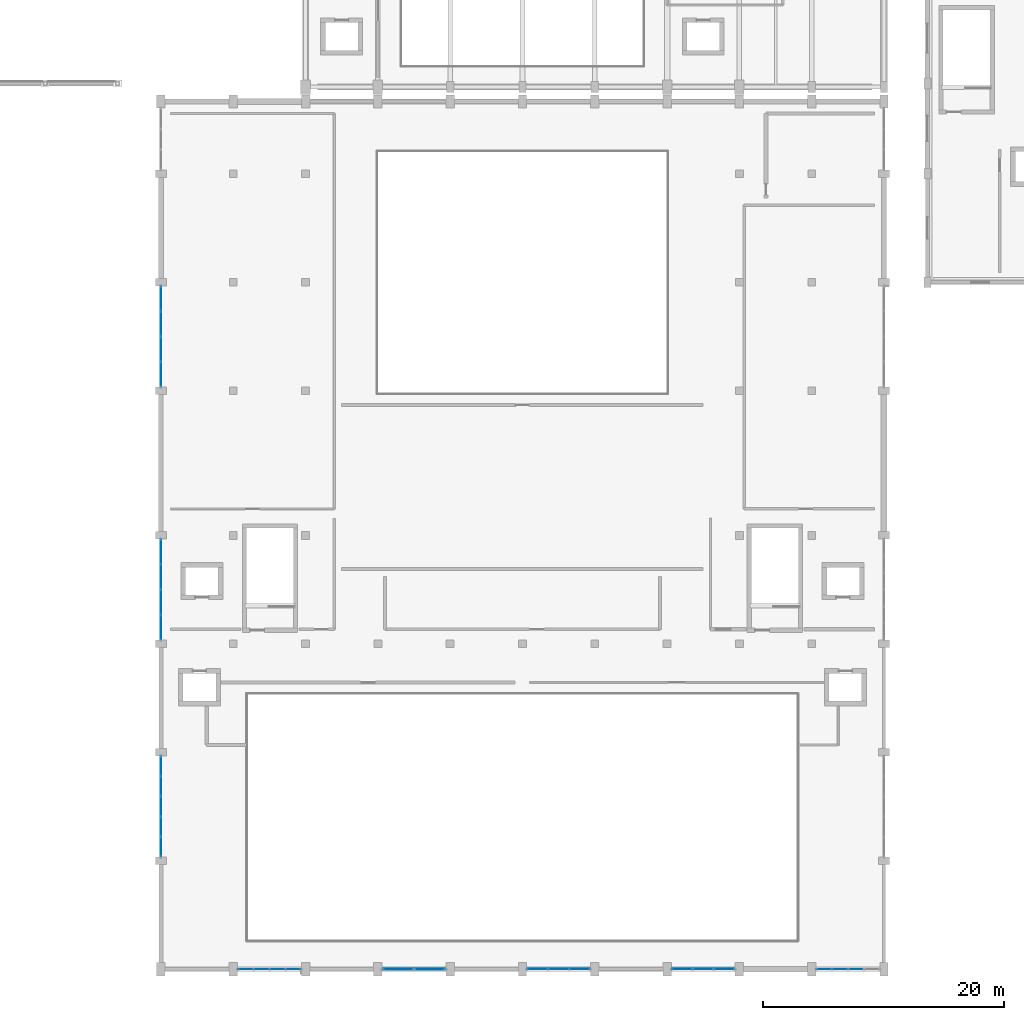
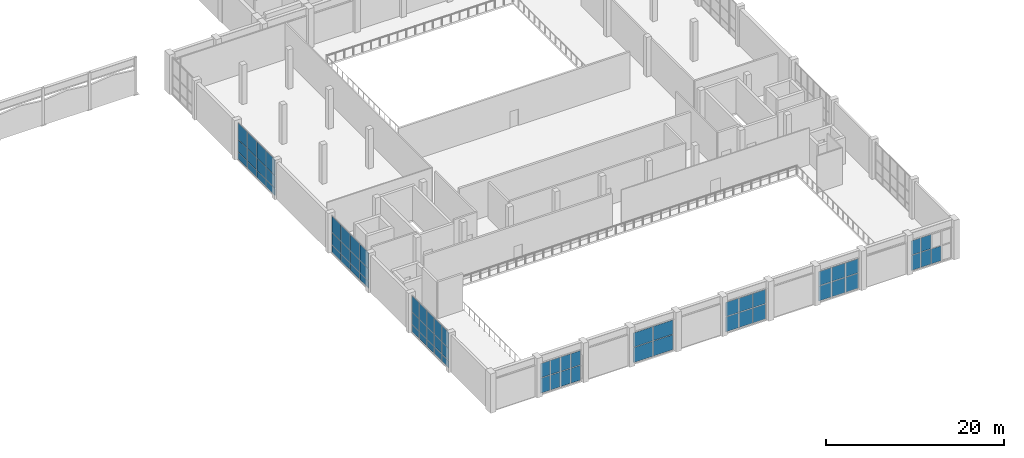
# One storey, part 23 of 41: 68 plates, 8 elements without a shape of their own.
"""IFC4 building model written with IfcOpenShell, lengths in metres."""

from ifc_helpers import new_model, si_unit, direction, frame, origin, origin_2d, place, context, subcontext, project, spatial, rectangle, extrude, material, layer, layer_set, type_object, element, aggregate, save


model = new_model("IFC4")

# Units and contexts
model_context = context("Model", 3, precision=1e-05, world=origin(), true_north=direction((0.0, 1.0)))
body_context = subcontext(model_context, "Body", "Model", "MODEL_VIEW")
ifc_project = project(units=[si_unit("LENGTHUNIT", "METRE"), si_unit("AREAUNIT", "SQUARE_METRE"), si_unit("VOLUMEUNIT", "CUBIC_METRE"), si_unit("PLANEANGLEUNIT", "RADIAN"), si_unit("MASSUNIT", "GRAM", prefix="KILO")], contexts=[model_context])

# Site, building, storey
site_placement = place(None, origin())
site = spatial("IfcSite", under=ifc_project, at=site_placement, CompositionType="ELEMENT")
building_placement = place(site_placement, origin())
building = spatial("IfcBuilding", under=site, at=building_placement, Name="Vaelkrest Opera House", CompositionType="ELEMENT")
storey_placement = place(building_placement, frame((0.0, 0.0, 24.60009765625)))
storey = spatial("IfcBuildingStorey", under=building, at=storey_placement, Name="L05", CompositionType="ELEMENT", Elevation=24.60009765625)

# Curtain wall, plates
ifc_material_1 = material(Name="Dark bronze anodized aluminium", Category="aluminium")
ifc_layer_1 = layer(ifc_material_1, 0.18994140625)
ifc_layer_set_1 = layer_set([ifc_layer_1], Name="Dark bronze anodized aluminium")
curtain_wall_type_1 = type_object("IfcCurtainWallType", Name="CW02", PredefinedType="NOTDEFINED", material=ifc_layer_set_1)
curtain_wall_1_placement = place(storey_placement, origin())
curtain_wall_1 = element("IfcCurtainWall", 1, at=curtain_wall_1_placement, inside=storey, type_object=curtain_wall_type_1, Name="Curtain wall CW-L05-068", PredefinedType="NOTDEFINED")
ifc_material_2 = material(Name="Double low-E insulated glazing", Category="glass")
ifc_layer_2 = layer(ifc_material_2, 0.030029296875)
ifc_layer_set_2 = layer_set([ifc_layer_2], Name="Double low-E insulated glazing")
plate_type_1 = type_object("IfcPlateType", Name="CWP02", PredefinedType="CURTAIN_PANEL", material=ifc_layer_set_2)
plate_1_placement = place(storey_placement, frame((27.6630859375, -55.800048828125, 0.06982421875), z_axis=(0.0, 0.0, 1.0), x_axis=(-1.0, 0.0, 0.0)))
plate_1 = element("IfcPlate", 2, at=plate_1_placement, type_object=plate_type_1, Name="CW02 panel 2.1", PredefinedType="CURTAIN_PANEL", context=body_context, shape_type="SweptSolid", body=[
    extrude(rectangle(XDim=1.256103515625, YDim=0.030029296875, at=origin_2d()), origin(), (0.0, 0.0, 1.0), 2.044921875),
])
plate_2_placement = place(storey_placement, frame((26.3369140625, -55.800048828125, 0.06982421875), z_axis=(0.0, 0.0, 1.0), x_axis=(-1.0, 0.0, 0.0)))
plate_2 = element("IfcPlate", 3, at=plate_2_placement, type_object=plate_type_1, Name="CW02 panel 3.1", PredefinedType="CURTAIN_PANEL", context=body_context, shape_type="SweptSolid", body=[
    extrude(rectangle(XDim=1.256103515625, YDim=0.030029296875, at=origin_2d()), origin(), (0.0, 0.0, 1.0), 2.044921875),
])
plate_3_placement = place(storey_placement, frame((26.3369140625, -55.800048828125, 2.18505859375), z_axis=(0.0, 0.0, 1.0), x_axis=(-1.0, 0.0, 0.0)))
plate_3 = element("IfcPlate", 4, at=plate_3_placement, type_object=plate_type_1, Name="CW02 panel 3.2", PredefinedType="CURTAIN_PANEL", context=body_context, shape_type="SweptSolid", body=[
    extrude(rectangle(XDim=1.256103515625, YDim=0.030029296875, at=origin_2d()), origin(), (0.0, 0.0, 1.0), 1.94189453125),
])
plate_4_placement = place(storey_placement, frame((25.028564453125, -55.800048828125, 0.06982421875), z_axis=(0.0, 0.0, 1.0), x_axis=(-1.0, 0.0, 0.0)))
plate_4 = element("IfcPlate", 5, at=plate_4_placement, type_object=plate_type_1, Name="CW02 panel 4.1", PredefinedType="CURTAIN_PANEL", context=body_context, shape_type="SweptSolid", body=[
    extrude(rectangle(XDim=1.220947265625, YDim=0.030029296875, at=origin_2d()), origin(), (0.0, 0.0, 1.0), 2.044921875),
])
plate_5_placement = place(storey_placement, frame((25.028564453125, -55.800048828125, 2.18505859375), z_axis=(0.0, 0.0, 1.0), x_axis=(-1.0, 0.0, 0.0)))
plate_5 = element("IfcPlate", 6, at=plate_5_placement, type_object=plate_type_1, Name="CW02 panel 4.2", PredefinedType="CURTAIN_PANEL", context=body_context, shape_type="SweptSolid", body=[
    extrude(rectangle(XDim=1.220947265625, YDim=0.030029296875, at=origin_2d()), origin(), (0.0, 0.0, 1.0), 1.94189453125),
])
aggregate(curtain_wall_1, [plate_1, plate_2, plate_3, plate_4, plate_5])

curtain_wall_2_placement = place(storey_placement, origin())
curtain_wall_2 = element("IfcCurtainWall", 7, at=curtain_wall_2_placement, inside=storey, type_object=curtain_wall_type_1, Name="Curtain wall CW-L05-072", PredefinedType="NOTDEFINED")
plate_6_placement = place(storey_placement, frame((-19.028564453125, -55.800048828125, 0.06982421875), z_axis=(0.0, 0.0, 1.0), x_axis=(-1.0, 0.0, 0.0)))
plate_6 = element("IfcPlate", 8, at=plate_6_placement, type_object=plate_type_1, Name="CW02 panel 1.1", PredefinedType="CURTAIN_PANEL", context=body_context, shape_type="SweptSolid", body=[
    extrude(rectangle(XDim=1.220947265625, YDim=0.030029296875, at=origin_2d()), origin(), (0.0, 0.0, 1.0), 2.044921875),
])
plate_7_placement = place(storey_placement, frame((-19.028564453125, -55.800048828125, 2.18505859375), z_axis=(0.0, 0.0, 1.0), x_axis=(-1.0, 0.0, 0.0)))
plate_7 = element("IfcPlate", 9, at=plate_7_placement, type_object=plate_type_1, Name="CW02 panel 1.2", PredefinedType="CURTAIN_PANEL", context=body_context, shape_type="SweptSolid", body=[
    extrude(rectangle(XDim=1.220947265625, YDim=0.030029296875, at=origin_2d()), origin(), (0.0, 0.0, 1.0), 1.94189453125),
])
plate_8_placement = place(storey_placement, frame((-20.3369140625, -55.800048828125, 0.06982421875), z_axis=(0.0, 0.0, 1.0), x_axis=(-1.0, 0.0, 0.0)))
plate_8 = element("IfcPlate", 10, at=plate_8_placement, type_object=plate_type_1, Name="CW02 panel 2.1", PredefinedType="CURTAIN_PANEL", context=body_context, shape_type="SweptSolid", body=[
    extrude(rectangle(XDim=1.256103515625, YDim=0.030029296875, at=origin_2d()), origin(), (0.0, 0.0, 1.0), 2.044921875),
])
plate_9_placement = place(storey_placement, frame((-20.3369140625, -55.800048828125, 2.18505859375), z_axis=(0.0, 0.0, 1.0), x_axis=(-1.0, 0.0, 0.0)))
plate_9 = element("IfcPlate", 11, at=plate_9_placement, type_object=plate_type_1, Name="CW02 panel 2.2", PredefinedType="CURTAIN_PANEL", context=body_context, shape_type="SweptSolid", body=[
    extrude(rectangle(XDim=1.256103515625, YDim=0.030029296875, at=origin_2d()), origin(), (0.0, 0.0, 1.0), 1.94189453125),
])
plate_10_placement = place(storey_placement, frame((-21.6630859375, -55.800048828125, 0.06982421875), z_axis=(0.0, 0.0, 1.0), x_axis=(-1.0, 0.0, 0.0)))
plate_10 = element("IfcPlate", 12, at=plate_10_placement, type_object=plate_type_1, Name="CW02 panel 3.1", PredefinedType="CURTAIN_PANEL", context=body_context, shape_type="SweptSolid", body=[
    extrude(rectangle(XDim=1.256103515625, YDim=0.030029296875, at=origin_2d()), origin(), (0.0, 0.0, 1.0), 2.044921875),
])
plate_11_placement = place(storey_placement, frame((-21.6630859375, -55.800048828125, 2.18505859375), z_axis=(0.0, 0.0, 1.0), x_axis=(-1.0, 0.0, 0.0)))
plate_11 = element("IfcPlate", 13, at=plate_11_placement, type_object=plate_type_1, Name="CW02 panel 3.2", PredefinedType="CURTAIN_PANEL", context=body_context, shape_type="SweptSolid", body=[
    extrude(rectangle(XDim=1.256103515625, YDim=0.030029296875, at=origin_2d()), origin(), (0.0, 0.0, 1.0), 1.94189453125),
])
plate_12_placement = place(storey_placement, frame((-22.971435546875, -55.800048828125, 0.06982421875), z_axis=(0.0, 0.0, 1.0), x_axis=(-1.0, 0.0, 0.0)))
plate_12 = element("IfcPlate", 14, at=plate_12_placement, type_object=plate_type_1, Name="CW02 panel 4.1", PredefinedType="CURTAIN_PANEL", context=body_context, shape_type="SweptSolid", body=[
    extrude(rectangle(XDim=1.220947265625, YDim=0.030029296875, at=origin_2d()), origin(), (0.0, 0.0, 1.0), 2.044921875),
])
plate_13_placement = place(storey_placement, frame((-22.971435546875, -55.800048828125, 2.18505859375), z_axis=(0.0, 0.0, 1.0), x_axis=(-1.0, 0.0, 0.0)))
plate_13 = element("IfcPlate", 15, at=plate_13_placement, type_object=plate_type_1, Name="CW02 panel 4.2", PredefinedType="CURTAIN_PANEL", context=body_context, shape_type="SweptSolid", body=[
    extrude(rectangle(XDim=1.220947265625, YDim=0.030029296875, at=origin_2d()), origin(), (0.0, 0.0, 1.0), 1.94189453125),
])
aggregate(curtain_wall_2, [plate_6, plate_7, plate_8, plate_9, plate_10, plate_11, plate_12, plate_13])

ifc_layer_3 = layer(ifc_material_1, 0.2099609375)
ifc_layer_set_3 = layer_set([ifc_layer_3], Name="Dark bronze anodized aluminium")
curtain_wall_type_2 = type_object("IfcCurtainWallType", Name="CW04", PredefinedType="NOTDEFINED", material=ifc_layer_set_3)
curtain_wall_3_placement = place(storey_placement, origin())
curtain_wall_3 = element("IfcCurtainWall", 16, at=curtain_wall_3_placement, inside=storey, type_object=curtain_wall_type_2, Name="Curtain wall CW-L05-069", PredefinedType="NOTDEFINED")
ifc_layer_4 = layer(ifc_material_2, 0.0380859375)
ifc_layer_set_4 = layer_set([ifc_layer_4], Name="Double low-E insulated glazing")
plate_type_2 = type_object("IfcPlateType", Name="CWP04", PredefinedType="CURTAIN_PANEL", material=ifc_layer_set_4)
plate_14_placement = place(storey_placement, frame((16.748046875, -55.800048828125, 0.080078125), z_axis=(0.0, 0.0, 1.0), x_axis=(-1.0, 0.0, 0.0)))
plate_14 = element("IfcPlate", 17, at=plate_14_placement, type_object=plate_type_2, Name="CW04 panel 1.1", PredefinedType="CURTAIN_PANEL", context=body_context, shape_type="SweptSolid", body=[
    extrude(rectangle(XDim=1.64794921875, YDim=0.0380859375, at=origin_2d()), origin(), (0.0, 0.0, 1.0), 2.030029296875),
])
plate_15_placement = place(storey_placement, frame((16.748046875, -55.800048828125, 2.18994140625), z_axis=(0.0, 0.0, 1.0), x_axis=(-1.0, 0.0, 0.0)))
plate_15 = element("IfcPlate", 18, at=plate_15_placement, type_object=plate_type_2, Name="CW04 panel 1.2", PredefinedType="CURTAIN_PANEL", context=body_context, shape_type="SweptSolid", body=[
    extrude(rectangle(XDim=1.64794921875, YDim=0.0380859375, at=origin_2d()), origin(), (0.0, 0.0, 1.0), 1.927001953125),
])
plate_16_placement = place(storey_placement, frame((15.0, -55.800048828125, 0.080078125), z_axis=(0.0, 0.0, 1.0), x_axis=(-1.0, 0.0, 0.0)))
plate_16 = element("IfcPlate", 19, at=plate_16_placement, type_object=plate_type_2, Name="CW04 panel 2.1", PredefinedType="CURTAIN_PANEL", context=body_context, shape_type="SweptSolid", body=[
    extrude(rectangle(XDim=1.68798828125, YDim=0.0380859375, at=origin_2d()), origin(), (0.0, 0.0, 1.0), 2.030029296875),
])
plate_17_placement = place(storey_placement, frame((15.0, -55.800048828125, 2.18994140625), z_axis=(0.0, 0.0, 1.0), x_axis=(-1.0, 0.0, 0.0)))
plate_17 = element("IfcPlate", 20, at=plate_17_placement, type_object=plate_type_2, Name="CW04 panel 2.2", PredefinedType="CURTAIN_PANEL", context=body_context, shape_type="SweptSolid", body=[
    extrude(rectangle(XDim=1.68798828125, YDim=0.0380859375, at=origin_2d()), origin(), (0.0, 0.0, 1.0), 1.927001953125),
])
plate_18_placement = place(storey_placement, frame((13.251953125, -55.800048828125, 0.080078125), z_axis=(0.0, 0.0, 1.0), x_axis=(-1.0, 0.0, 0.0)))
plate_18 = element("IfcPlate", 21, at=plate_18_placement, type_object=plate_type_2, Name="CW04 panel 3.1", PredefinedType="CURTAIN_PANEL", context=body_context, shape_type="SweptSolid", body=[
    extrude(rectangle(XDim=1.64794921875, YDim=0.0380859375, at=origin_2d()), origin(), (0.0, 0.0, 1.0), 2.030029296875),
])
plate_19_placement = place(storey_placement, frame((13.251953125, -55.800048828125, 2.18994140625), z_axis=(0.0, 0.0, 1.0), x_axis=(-1.0, 0.0, 0.0)))
plate_19 = element("IfcPlate", 22, at=plate_19_placement, type_object=plate_type_2, Name="CW04 panel 3.2", PredefinedType="CURTAIN_PANEL", context=body_context, shape_type="SweptSolid", body=[
    extrude(rectangle(XDim=1.64794921875, YDim=0.0380859375, at=origin_2d()), origin(), (0.0, 0.0, 1.0), 1.927001953125),
])
aggregate(curtain_wall_3, [plate_14, plate_15, plate_16, plate_17, plate_18, plate_19])

curtain_wall_4_placement = place(storey_placement, origin())
curtain_wall_4 = element("IfcCurtainWall", 23, at=curtain_wall_4_placement, inside=storey, type_object=curtain_wall_type_2, Name="Curtain wall CW-L05-073", PredefinedType="NOTDEFINED")
plate_20_placement = place(storey_placement, frame((-30.0, -45.6416015625, 0.080078125), z_axis=(0.0, 0.0, 1.0), x_axis=(0.0, 1.0, 0.0)))
plate_20 = element("IfcPlate", 24, at=plate_20_placement, type_object=plate_type_2, Name="CW04 panel 1.1", PredefinedType="CURTAIN_PANEL", context=body_context, shape_type="SweptSolid", body=[
    extrude(rectangle(XDim=1.560791015625, YDim=0.0380859375, at=origin_2d()), origin(), (0.0, 0.0, 1.0), 0.929931640625),
])
plate_21_placement = place(storey_placement, frame((-30.0, -45.6416015625, 1.08984375), z_axis=(0.0, 0.0, 1.0), x_axis=(0.0, 1.0, 0.0)))
plate_21 = element("IfcPlate", 25, at=plate_21_placement, type_object=plate_type_2, Name="CW04 panel 1.2", PredefinedType="CURTAIN_PANEL", context=body_context, shape_type="SweptSolid", body=[
    extrude(rectangle(XDim=1.560791015625, YDim=0.0380859375, at=origin_2d()), origin(), (0.0, 0.0, 1.0), 1.6201171875),
])
plate_22_placement = place(storey_placement, frame((-30.0, -45.6416015625, 2.7900390625), z_axis=(0.0, 0.0, 1.0), x_axis=(0.0, 1.0, 0.0)))
plate_22 = element("IfcPlate", 26, at=plate_22_placement, type_object=plate_type_2, Name="CW04 panel 1.3", PredefinedType="CURTAIN_PANEL", context=body_context, shape_type="SweptSolid", body=[
    extrude(rectangle(XDim=1.560791015625, YDim=0.0380859375, at=origin_2d()), origin(), (0.0, 0.0, 1.0), 2.179931640625),
])
plate_23_placement = place(storey_placement, frame((-30.0, -43.980712890625, 0.080078125), z_axis=(0.0, 0.0, 1.0), x_axis=(0.0, 1.0, 0.0)))
plate_23 = element("IfcPlate", 27, at=plate_23_placement, type_object=plate_type_2, Name="CW04 panel 2.1", PredefinedType="CURTAIN_PANEL", context=body_context, shape_type="SweptSolid", body=[
    extrude(rectangle(XDim=1.600830078125, YDim=0.0380859375, at=origin_2d()), origin(), (0.0, 0.0, 1.0), 0.929931640625),
])
plate_24_placement = place(storey_placement, frame((-30.0, -43.980712890625, 1.08984375), z_axis=(0.0, 0.0, 1.0), x_axis=(0.0, 1.0, 0.0)))
plate_24 = element("IfcPlate", 28, at=plate_24_placement, type_object=plate_type_2, Name="CW04 panel 2.2", PredefinedType="CURTAIN_PANEL", context=body_context, shape_type="SweptSolid", body=[
    extrude(rectangle(XDim=1.600830078125, YDim=0.0380859375, at=origin_2d()), origin(), (0.0, 0.0, 1.0), 1.6201171875),
])
plate_25_placement = place(storey_placement, frame((-30.0, -43.980712890625, 2.7900390625), z_axis=(0.0, 0.0, 1.0), x_axis=(0.0, 1.0, 0.0)))
plate_25 = element("IfcPlate", 29, at=plate_25_placement, type_object=plate_type_2, Name="CW04 panel 2.3", PredefinedType="CURTAIN_PANEL", context=body_context, shape_type="SweptSolid", body=[
    extrude(rectangle(XDim=1.600830078125, YDim=0.0380859375, at=origin_2d()), origin(), (0.0, 0.0, 1.0), 2.179931640625),
])
plate_26_placement = place(storey_placement, frame((-30.0, -42.300048828125, 0.080078125), z_axis=(0.0, 0.0, 1.0), x_axis=(0.0, 1.0, 0.0)))
plate_26 = element("IfcPlate", 30, at=plate_26_placement, type_object=plate_type_2, Name="CW04 panel 3.1", PredefinedType="CURTAIN_PANEL", context=body_context, shape_type="SweptSolid", body=[
    extrude(rectangle(XDim=1.600830078125, YDim=0.0380859375, at=origin_2d()), origin(), (0.0, 0.0, 1.0), 0.929931640625),
])
plate_27_placement = place(storey_placement, frame((-30.0, -42.300048828125, 1.08984375), z_axis=(0.0, 0.0, 1.0), x_axis=(0.0, 1.0, 0.0)))
plate_27 = element("IfcPlate", 31, at=plate_27_placement, type_object=plate_type_2, Name="CW04 panel 3.2", PredefinedType="CURTAIN_PANEL", context=body_context, shape_type="SweptSolid", body=[
    extrude(rectangle(XDim=1.600830078125, YDim=0.0380859375, at=origin_2d()), origin(), (0.0, 0.0, 1.0), 1.6201171875),
])
plate_28_placement = place(storey_placement, frame((-30.0, -42.300048828125, 2.7900390625), z_axis=(0.0, 0.0, 1.0), x_axis=(0.0, 1.0, 0.0)))
plate_28 = element("IfcPlate", 32, at=plate_28_placement, type_object=plate_type_2, Name="CW04 panel 3.3", PredefinedType="CURTAIN_PANEL", context=body_context, shape_type="SweptSolid", body=[
    extrude(rectangle(XDim=1.600830078125, YDim=0.0380859375, at=origin_2d()), origin(), (0.0, 0.0, 1.0), 2.179931640625),
])
plate_29_placement = place(storey_placement, frame((-30.0, -40.619140625, 0.080078125), z_axis=(0.0, 0.0, 1.0), x_axis=(0.0, 1.0, 0.0)))
plate_29 = element("IfcPlate", 33, at=plate_29_placement, type_object=plate_type_2, Name="CW04 panel 4.1", PredefinedType="CURTAIN_PANEL", context=body_context, shape_type="SweptSolid", body=[
    extrude(rectangle(XDim=1.600830078125, YDim=0.0380859375, at=origin_2d()), origin(), (0.0, 0.0, 1.0), 0.929931640625),
])
plate_30_placement = place(storey_placement, frame((-30.0, -40.619140625, 1.08984375), z_axis=(0.0, 0.0, 1.0), x_axis=(0.0, 1.0, 0.0)))
plate_30 = element("IfcPlate", 34, at=plate_30_placement, type_object=plate_type_2, Name="CW04 panel 4.2", PredefinedType="CURTAIN_PANEL", context=body_context, shape_type="SweptSolid", body=[
    extrude(rectangle(XDim=1.600830078125, YDim=0.0380859375, at=origin_2d()), origin(), (0.0, 0.0, 1.0), 1.6201171875),
])
plate_31_placement = place(storey_placement, frame((-30.0, -40.619140625, 2.7900390625), z_axis=(0.0, 0.0, 1.0), x_axis=(0.0, 1.0, 0.0)))
plate_31 = element("IfcPlate", 35, at=plate_31_placement, type_object=plate_type_2, Name="CW04 panel 4.3", PredefinedType="CURTAIN_PANEL", context=body_context, shape_type="SweptSolid", body=[
    extrude(rectangle(XDim=1.600830078125, YDim=0.0380859375, at=origin_2d()), origin(), (0.0, 0.0, 1.0), 2.179931640625),
])
plate_32_placement = place(storey_placement, frame((-30.0, -38.95849609375, 0.080078125), z_axis=(0.0, 0.0, 1.0), x_axis=(0.0, 1.0, 0.0)))
plate_32 = element("IfcPlate", 36, at=plate_32_placement, type_object=plate_type_2, Name="CW04 panel 5.1", PredefinedType="CURTAIN_PANEL", context=body_context, shape_type="SweptSolid", body=[
    extrude(rectangle(XDim=1.560791015625, YDim=0.0380859375, at=origin_2d()), origin(), (0.0, 0.0, 1.0), 0.929931640625),
])
plate_33_placement = place(storey_placement, frame((-30.0, -38.95849609375, 1.08984375), z_axis=(0.0, 0.0, 1.0), x_axis=(0.0, 1.0, 0.0)))
plate_33 = element("IfcPlate", 37, at=plate_33_placement, type_object=plate_type_2, Name="CW04 panel 5.2", PredefinedType="CURTAIN_PANEL", context=body_context, shape_type="SweptSolid", body=[
    extrude(rectangle(XDim=1.560791015625, YDim=0.0380859375, at=origin_2d()), origin(), (0.0, 0.0, 1.0), 1.6201171875),
])
plate_34_placement = place(storey_placement, frame((-30.0, -38.95849609375, 2.7900390625), z_axis=(0.0, 0.0, 1.0), x_axis=(0.0, 1.0, 0.0)))
plate_34 = element("IfcPlate", 38, at=plate_34_placement, type_object=plate_type_2, Name="CW04 panel 5.3", PredefinedType="CURTAIN_PANEL", context=body_context, shape_type="SweptSolid", body=[
    extrude(rectangle(XDim=1.560791015625, YDim=0.0380859375, at=origin_2d()), origin(), (0.0, 0.0, 1.0), 2.179931640625),
])
aggregate(curtain_wall_4, [plate_20, plate_21, plate_22, plate_23, plate_24, plate_25, plate_26, plate_27, plate_28, plate_29, plate_30, plate_31, plate_32, plate_33, plate_34])

ifc_layer_5 = layer(ifc_material_1, 0.22998046875)
ifc_layer_set_5 = layer_set([ifc_layer_5], Name="Dark bronze anodized aluminium")
curtain_wall_type_3 = type_object("IfcCurtainWallType", Name="CW06", PredefinedType="NOTDEFINED", material=ifc_layer_set_5)
curtain_wall_5_placement = place(storey_placement, origin())
curtain_wall_5 = element("IfcCurtainWall", 39, at=curtain_wall_5_placement, inside=storey, type_object=curtain_wall_type_3, Name="Curtain wall CW-L05-070", PredefinedType="NOTDEFINED")
ifc_material_3 = material(Name="Dark bronze anodized aluminium spandrel", Category="aluminium")
ifc_layer_6 = layer(ifc_material_3, 0.0458984375)
ifc_layer_set_6 = layer_set([ifc_layer_6], Name="Dark bronze anodized aluminium spandrel")
plate_type_3 = type_object("IfcPlateType", Name="CWP06", PredefinedType="CURTAIN_PANEL", material=ifc_layer_set_6)
plate_35_placement = place(storey_placement, frame((4.75048828125, -55.800048828125, 0.080078125), z_axis=(0.0, 0.0, 1.0), x_axis=(-1.0, 0.0, 0.0)))
plate_35 = element("IfcPlate", 40, at=plate_35_placement, type_object=plate_type_3, Name="CW06 panel 1.1", PredefinedType="CURTAIN_PANEL", context=body_context, shape_type="SweptSolid", body=[
    extrude(rectangle(XDim=1.6630859375, YDim=0.0458984375, at=origin_2d()), origin(), (0.0, 0.0, 1.0), 2.030029296875),
])
plate_36_placement = place(storey_placement, frame((4.75048828125, -55.800048828125, 2.18994140625), z_axis=(0.0, 0.0, 1.0), x_axis=(-1.0, 0.0, 0.0)))
plate_36 = element("IfcPlate", 41, at=plate_36_placement, type_object=plate_type_3, Name="CW06 panel 1.2", PredefinedType="CURTAIN_PANEL", context=body_context, shape_type="SweptSolid", body=[
    extrude(rectangle(XDim=1.6630859375, YDim=0.0458984375, at=origin_2d()), origin(), (0.0, 0.0, 1.0), 1.927001953125),
])
plate_37_placement = place(storey_placement, frame((3.0, -55.800048828125, 0.080078125), z_axis=(0.0, 0.0, 1.0), x_axis=(-1.0, 0.0, 0.0)))
plate_37 = element("IfcPlate", 42, at=plate_37_placement, type_object=plate_type_3, Name="CW06 panel 2.1", PredefinedType="CURTAIN_PANEL", context=body_context, shape_type="SweptSolid", body=[
    extrude(rectangle(XDim=1.697998046875, YDim=0.0458984375, at=origin_2d()), origin(), (0.0, 0.0, 1.0), 2.030029296875),
])
plate_38_placement = place(storey_placement, frame((3.0, -55.800048828125, 2.18994140625), z_axis=(0.0, 0.0, 1.0), x_axis=(-1.0, 0.0, 0.0)))
plate_38 = element("IfcPlate", 43, at=plate_38_placement, type_object=plate_type_3, Name="CW06 panel 2.2", PredefinedType="CURTAIN_PANEL", context=body_context, shape_type="SweptSolid", body=[
    extrude(rectangle(XDim=1.697998046875, YDim=0.0458984375, at=origin_2d()), origin(), (0.0, 0.0, 1.0), 1.927001953125),
])
plate_39_placement = place(storey_placement, frame((1.24951171875, -55.800048828125, 0.080078125), z_axis=(0.0, 0.0, 1.0), x_axis=(-1.0, 0.0, 0.0)))
plate_39 = element("IfcPlate", 44, at=plate_39_placement, type_object=plate_type_3, Name="CW06 panel 3.1", PredefinedType="CURTAIN_PANEL", context=body_context, shape_type="SweptSolid", body=[
    extrude(rectangle(XDim=1.6630859375, YDim=0.0458984375, at=origin_2d()), origin(), (0.0, 0.0, 1.0), 2.030029296875),
])
plate_40_placement = place(storey_placement, frame((1.24951171875, -55.800048828125, 2.18994140625), z_axis=(0.0, 0.0, 1.0), x_axis=(-1.0, 0.0, 0.0)))
plate_40 = element("IfcPlate", 45, at=plate_40_placement, type_object=plate_type_3, Name="CW06 panel 3.2", PredefinedType="CURTAIN_PANEL", context=body_context, shape_type="SweptSolid", body=[
    extrude(rectangle(XDim=1.6630859375, YDim=0.0458984375, at=origin_2d()), origin(), (0.0, 0.0, 1.0), 1.927001953125),
])
aggregate(curtain_wall_5, [plate_35, plate_36, plate_37, plate_38, plate_39, plate_40])

curtain_wall_6_placement = place(storey_placement, origin())
curtain_wall_6 = element("IfcCurtainWall", 46, at=curtain_wall_6_placement, inside=storey, type_object=curtain_wall_type_3, Name="Curtain wall CW-L05-074", PredefinedType="NOTDEFINED")
plate_41_placement = place(storey_placement, frame((-30.0, -27.43408203125, 0.080078125), z_axis=(0.0, 0.0, 1.0), x_axis=(0.0, 1.0, 0.0)))
plate_41 = element("IfcPlate", 47, at=plate_41_placement, type_object=plate_type_3, Name="CW06 panel 1.1", PredefinedType="CURTAIN_PANEL", context=body_context, shape_type="SweptSolid", body=[
    extrude(rectangle(XDim=1.99609375, YDim=0.0458984375, at=origin_2d()), origin(), (0.0, 0.0, 1.0), 0.929931640625),
])
plate_42_placement = place(storey_placement, frame((-30.0, -27.43408203125, 1.08984375), z_axis=(0.0, 0.0, 1.0), x_axis=(0.0, 1.0, 0.0)))
plate_42 = element("IfcPlate", 48, at=plate_42_placement, type_object=plate_type_3, Name="CW06 panel 1.2", PredefinedType="CURTAIN_PANEL", context=body_context, shape_type="SweptSolid", body=[
    extrude(rectangle(XDim=1.99609375, YDim=0.0458984375, at=origin_2d()), origin(), (0.0, 0.0, 1.0), 1.6201171875),
])
plate_43_placement = place(storey_placement, frame((-30.0, -27.43408203125, 2.7900390625), z_axis=(0.0, 0.0, 1.0), x_axis=(0.0, 1.0, 0.0)))
plate_43 = element("IfcPlate", 49, at=plate_43_placement, type_object=plate_type_3, Name="CW06 panel 1.3", PredefinedType="CURTAIN_PANEL", context=body_context, shape_type="SweptSolid", body=[
    extrude(rectangle(XDim=1.99609375, YDim=0.0458984375, at=origin_2d()), origin(), (0.0, 0.0, 1.0), 2.179931640625),
])
plate_44_placement = place(storey_placement, frame((-30.0, -25.3505859375, 0.080078125), z_axis=(0.0, 0.0, 1.0), x_axis=(0.0, 1.0, 0.0)))
plate_44 = element("IfcPlate", 50, at=plate_44_placement, type_object=plate_type_3, Name="CW06 panel 2.1", PredefinedType="CURTAIN_PANEL", context=body_context, shape_type="SweptSolid", body=[
    extrude(rectangle(XDim=2.031005859375, YDim=0.0458984375, at=origin_2d()), origin(), (0.0, 0.0, 1.0), 0.929931640625),
])
plate_45_placement = place(storey_placement, frame((-30.0, -25.3505859375, 1.08984375), z_axis=(0.0, 0.0, 1.0), x_axis=(0.0, 1.0, 0.0)))
plate_45 = element("IfcPlate", 51, at=plate_45_placement, type_object=plate_type_3, Name="CW06 panel 2.2", PredefinedType="CURTAIN_PANEL", context=body_context, shape_type="SweptSolid", body=[
    extrude(rectangle(XDim=2.031005859375, YDim=0.0458984375, at=origin_2d()), origin(), (0.0, 0.0, 1.0), 1.6201171875),
])
plate_46_placement = place(storey_placement, frame((-30.0, -25.3505859375, 2.7900390625), z_axis=(0.0, 0.0, 1.0), x_axis=(0.0, 1.0, 0.0)))
plate_46 = element("IfcPlate", 52, at=plate_46_placement, type_object=plate_type_3, Name="CW06 panel 2.3", PredefinedType="CURTAIN_PANEL", context=body_context, shape_type="SweptSolid", body=[
    extrude(rectangle(XDim=2.031005859375, YDim=0.0458984375, at=origin_2d()), origin(), (0.0, 0.0, 1.0), 2.179931640625),
])
plate_47_placement = place(storey_placement, frame((-30.0, -23.24951171875, 0.080078125), z_axis=(0.0, 0.0, 1.0), x_axis=(0.0, 1.0, 0.0)))
plate_47 = element("IfcPlate", 53, at=plate_47_placement, type_object=plate_type_3, Name="CW06 panel 3.1", PredefinedType="CURTAIN_PANEL", context=body_context, shape_type="SweptSolid", body=[
    extrude(rectangle(XDim=2.031005859375, YDim=0.0458984375, at=origin_2d()), origin(), (0.0, 0.0, 1.0), 0.929931640625),
])
plate_48_placement = place(storey_placement, frame((-30.0, -23.24951171875, 1.08984375), z_axis=(0.0, 0.0, 1.0), x_axis=(0.0, 1.0, 0.0)))
plate_48 = element("IfcPlate", 54, at=plate_48_placement, type_object=plate_type_3, Name="CW06 panel 3.2", PredefinedType="CURTAIN_PANEL", context=body_context, shape_type="SweptSolid", body=[
    extrude(rectangle(XDim=2.031005859375, YDim=0.0458984375, at=origin_2d()), origin(), (0.0, 0.0, 1.0), 1.6201171875),
])
plate_49_placement = place(storey_placement, frame((-30.0, -23.24951171875, 2.7900390625), z_axis=(0.0, 0.0, 1.0), x_axis=(0.0, 1.0, 0.0)))
plate_49 = element("IfcPlate", 55, at=plate_49_placement, type_object=plate_type_3, Name="CW06 panel 3.3", PredefinedType="CURTAIN_PANEL", context=body_context, shape_type="SweptSolid", body=[
    extrude(rectangle(XDim=2.031005859375, YDim=0.0458984375, at=origin_2d()), origin(), (0.0, 0.0, 1.0), 2.179931640625),
])
plate_50_placement = place(storey_placement, frame((-30.0, -21.166015625, 0.080078125), z_axis=(0.0, 0.0, 1.0), x_axis=(0.0, 1.0, 0.0)))
plate_50 = element("IfcPlate", 56, at=plate_50_placement, type_object=plate_type_3, Name="CW06 panel 4.1", PredefinedType="CURTAIN_PANEL", context=body_context, shape_type="SweptSolid", body=[
    extrude(rectangle(XDim=1.99609375, YDim=0.0458984375, at=origin_2d()), origin(), (0.0, 0.0, 1.0), 0.929931640625),
])
plate_51_placement = place(storey_placement, frame((-30.0, -21.166015625, 1.08984375), z_axis=(0.0, 0.0, 1.0), x_axis=(0.0, 1.0, 0.0)))
plate_51 = element("IfcPlate", 57, at=plate_51_placement, type_object=plate_type_3, Name="CW06 panel 4.2", PredefinedType="CURTAIN_PANEL", context=body_context, shape_type="SweptSolid", body=[
    extrude(rectangle(XDim=1.99609375, YDim=0.0458984375, at=origin_2d()), origin(), (0.0, 0.0, 1.0), 1.6201171875),
])
plate_52_placement = place(storey_placement, frame((-30.0, -21.166015625, 2.7900390625), z_axis=(0.0, 0.0, 1.0), x_axis=(0.0, 1.0, 0.0)))
plate_52 = element("IfcPlate", 58, at=plate_52_placement, type_object=plate_type_3, Name="CW06 panel 4.3", PredefinedType="CURTAIN_PANEL", context=body_context, shape_type="SweptSolid", body=[
    extrude(rectangle(XDim=1.99609375, YDim=0.0458984375, at=origin_2d()), origin(), (0.0, 0.0, 1.0), 2.179931640625),
])
aggregate(curtain_wall_6, [plate_41, plate_42, plate_43, plate_44, plate_45, plate_46, plate_47, plate_48, plate_49, plate_50, plate_51, plate_52])

ifc_layer_7 = layer(ifc_material_1, 0.25)
ifc_layer_set_7 = layer_set([ifc_layer_7], Name="Dark bronze anodized aluminium")
curtain_wall_type_4 = type_object("IfcCurtainWallType", Name="CW08", PredefinedType="NOTDEFINED", material=ifc_layer_set_7)
curtain_wall_7_placement = place(storey_placement, origin())
curtain_wall_7 = element("IfcCurtainWall", 59, at=curtain_wall_7_placement, inside=storey, type_object=curtain_wall_type_4, Name="Curtain wall CW-L05-071", PredefinedType="NOTDEFINED")
ifc_layer_8 = layer(ifc_material_3, 0.05810546875)
ifc_layer_set_8 = layer_set([ifc_layer_8], Name="Dark bronze anodized aluminium spandrel")
plate_type_4 = type_object("IfcPlateType", Name="CWP08", PredefinedType="CURTAIN_PANEL", material=ifc_layer_set_8)
plate_53_placement = place(storey_placement, frame((-7.694091796875, -55.800048828125, 0.06982421875), z_axis=(0.0, 0.0, 1.0), x_axis=(-1.0, 0.0, 0.0)))
plate_53 = element("IfcPlate", 60, at=plate_53_placement, type_object=plate_type_4, Name="CW08 panel 1.1", PredefinedType="CURTAIN_PANEL", context=body_context, shape_type="SweptSolid", body=[
    extrude(rectangle(XDim=2.531982421875, YDim=0.05810546875, at=origin_2d()), origin(), (0.0, 0.0, 1.0), 2.044921875),
])
plate_54_placement = place(storey_placement, frame((-7.694091796875, -55.800048828125, 2.18505859375), z_axis=(0.0, 0.0, 1.0), x_axis=(-1.0, 0.0, 0.0)))
plate_54 = element("IfcPlate", 61, at=plate_54_placement, type_object=plate_type_4, Name="CW08 panel 1.2", PredefinedType="CURTAIN_PANEL", context=body_context, shape_type="SweptSolid", body=[
    extrude(rectangle(XDim=2.531982421875, YDim=0.05810546875, at=origin_2d()), origin(), (0.0, 0.0, 1.0), 1.94189453125),
])
plate_55_placement = place(storey_placement, frame((-10.305908203125, -55.800048828125, 0.06982421875), z_axis=(0.0, 0.0, 1.0), x_axis=(-1.0, 0.0, 0.0)))
plate_55 = element("IfcPlate", 62, at=plate_55_placement, type_object=plate_type_4, Name="CW08 panel 2.1", PredefinedType="CURTAIN_PANEL", context=body_context, shape_type="SweptSolid", body=[
    extrude(rectangle(XDim=2.531982421875, YDim=0.05810546875, at=origin_2d()), origin(), (0.0, 0.0, 1.0), 2.044921875),
])
plate_56_placement = place(storey_placement, frame((-10.305908203125, -55.800048828125, 2.18505859375), z_axis=(0.0, 0.0, 1.0), x_axis=(-1.0, 0.0, 0.0)))
plate_56 = element("IfcPlate", 63, at=plate_56_placement, type_object=plate_type_4, Name="CW08 panel 2.2", PredefinedType="CURTAIN_PANEL", context=body_context, shape_type="SweptSolid", body=[
    extrude(rectangle(XDim=2.531982421875, YDim=0.05810546875, at=origin_2d()), origin(), (0.0, 0.0, 1.0), 1.94189453125),
])
aggregate(curtain_wall_7, [plate_53, plate_54, plate_55, plate_56])

curtain_wall_8_placement = place(storey_placement, origin())
curtain_wall_8 = element("IfcCurtainWall", 64, at=curtain_wall_8_placement, inside=storey, type_object=curtain_wall_type_4, Name="Curtain wall CW-L05-075", PredefinedType="NOTDEFINED")
plate_57_placement = place(storey_placement, frame((-30.0, -6.431396484375, 0.06982421875), z_axis=(0.0, 0.0, 1.0), x_axis=(0.0, 1.0, 0.0)))
plate_57 = element("IfcPlate", 65, at=plate_57_placement, type_object=plate_type_4, Name="CW08 panel 1.1", PredefinedType="CURTAIN_PANEL", context=body_context, shape_type="SweptSolid", body=[
    extrude(rectangle(XDim=1.98095703125, YDim=0.05810546875, at=origin_2d()), origin(), (0.0, 0.0, 1.0), 0.945068359375),
])
plate_58_placement = place(storey_placement, frame((-30.0, -6.431396484375, 1.0849609375), z_axis=(0.0, 0.0, 1.0), x_axis=(0.0, 1.0, 0.0)))
plate_58 = element("IfcPlate", 66, at=plate_58_placement, type_object=plate_type_4, Name="CW08 panel 1.2", PredefinedType="CURTAIN_PANEL", context=body_context, shape_type="SweptSolid", body=[
    extrude(rectangle(XDim=1.98095703125, YDim=0.05810546875, at=origin_2d()), origin(), (0.0, 0.0, 1.0), 1.6298828125),
])
plate_59_placement = place(storey_placement, frame((-30.0, -6.431396484375, 2.78466796875), z_axis=(0.0, 0.0, 1.0), x_axis=(0.0, 1.0, 0.0)))
plate_59 = element("IfcPlate", 67, at=plate_59_placement, type_object=plate_type_4, Name="CW08 panel 1.3", PredefinedType="CURTAIN_PANEL", context=body_context, shape_type="SweptSolid", body=[
    extrude(rectangle(XDim=1.98095703125, YDim=0.05810546875, at=origin_2d()), origin(), (0.0, 0.0, 1.0), 2.195068359375),
])
plate_60_placement = place(storey_placement, frame((-30.0, -4.3505859375, 0.06982421875), z_axis=(0.0, 0.0, 1.0), x_axis=(0.0, 1.0, 0.0)))
plate_60 = element("IfcPlate", 68, at=plate_60_placement, type_object=plate_type_4, Name="CW08 panel 2.1", PredefinedType="CURTAIN_PANEL", context=body_context, shape_type="SweptSolid", body=[
    extrude(rectangle(XDim=2.02099609375, YDim=0.05810546875, at=origin_2d()), origin(), (0.0, 0.0, 1.0), 0.945068359375),
])
plate_61_placement = place(storey_placement, frame((-30.0, -4.3505859375, 1.0849609375), z_axis=(0.0, 0.0, 1.0), x_axis=(0.0, 1.0, 0.0)))
plate_61 = element("IfcPlate", 69, at=plate_61_placement, type_object=plate_type_4, Name="CW08 panel 2.2", PredefinedType="CURTAIN_PANEL", context=body_context, shape_type="SweptSolid", body=[
    extrude(rectangle(XDim=2.02099609375, YDim=0.05810546875, at=origin_2d()), origin(), (0.0, 0.0, 1.0), 1.6298828125),
])
plate_62_placement = place(storey_placement, frame((-30.0, -4.3505859375, 2.78466796875), z_axis=(0.0, 0.0, 1.0), x_axis=(0.0, 1.0, 0.0)))
plate_62 = element("IfcPlate", 70, at=plate_62_placement, type_object=plate_type_4, Name="CW08 panel 2.3", PredefinedType="CURTAIN_PANEL", context=body_context, shape_type="SweptSolid", body=[
    extrude(rectangle(XDim=2.02099609375, YDim=0.05810546875, at=origin_2d()), origin(), (0.0, 0.0, 1.0), 2.195068359375),
])
plate_63_placement = place(storey_placement, frame((-30.0, -2.24951171875, 0.06982421875), z_axis=(0.0, 0.0, 1.0), x_axis=(0.0, 1.0, 0.0)))
plate_63 = element("IfcPlate", 71, at=plate_63_placement, type_object=plate_type_4, Name="CW08 panel 3.1", PredefinedType="CURTAIN_PANEL", context=body_context, shape_type="SweptSolid", body=[
    extrude(rectangle(XDim=2.02099609375, YDim=0.05810546875, at=origin_2d()), origin(), (0.0, 0.0, 1.0), 0.945068359375),
])
plate_64_placement = place(storey_placement, frame((-30.0, -2.24951171875, 1.0849609375), z_axis=(0.0, 0.0, 1.0), x_axis=(0.0, 1.0, 0.0)))
plate_64 = element("IfcPlate", 72, at=plate_64_placement, type_object=plate_type_4, Name="CW08 panel 3.2", PredefinedType="CURTAIN_PANEL", context=body_context, shape_type="SweptSolid", body=[
    extrude(rectangle(XDim=2.02099609375, YDim=0.05810546875, at=origin_2d()), origin(), (0.0, 0.0, 1.0), 1.6298828125),
])
plate_65_placement = place(storey_placement, frame((-30.0, -2.24951171875, 2.78466796875), z_axis=(0.0, 0.0, 1.0), x_axis=(0.0, 1.0, 0.0)))
plate_65 = element("IfcPlate", 73, at=plate_65_placement, type_object=plate_type_4, Name="CW08 panel 3.3", PredefinedType="CURTAIN_PANEL", context=body_context, shape_type="SweptSolid", body=[
    extrude(rectangle(XDim=2.02099609375, YDim=0.05810546875, at=origin_2d()), origin(), (0.0, 0.0, 1.0), 2.195068359375),
])
plate_66_placement = place(storey_placement, frame((-30.0, -0.16845703125, 0.06982421875), z_axis=(0.0, 0.0, 1.0), x_axis=(0.0, 1.0, 0.0)))
plate_66 = element("IfcPlate", 74, at=plate_66_placement, type_object=plate_type_4, Name="CW08 panel 4.1", PredefinedType="CURTAIN_PANEL", context=body_context, shape_type="SweptSolid", body=[
    extrude(rectangle(XDim=1.98095703125, YDim=0.05810546875, at=origin_2d()), origin(), (0.0, 0.0, 1.0), 0.945068359375),
])
plate_67_placement = place(storey_placement, frame((-30.0, -0.16845703125, 1.0849609375), z_axis=(0.0, 0.0, 1.0), x_axis=(0.0, 1.0, 0.0)))
plate_67 = element("IfcPlate", 75, at=plate_67_placement, type_object=plate_type_4, Name="CW08 panel 4.2", PredefinedType="CURTAIN_PANEL", context=body_context, shape_type="SweptSolid", body=[
    extrude(rectangle(XDim=1.98095703125, YDim=0.05810546875, at=origin_2d()), origin(), (0.0, 0.0, 1.0), 1.6298828125),
])
plate_68_placement = place(storey_placement, frame((-30.0, -0.16845703125, 2.78466796875), z_axis=(0.0, 0.0, 1.0), x_axis=(0.0, 1.0, 0.0)))
plate_68 = element("IfcPlate", 76, at=plate_68_placement, type_object=plate_type_4, Name="CW08 panel 4.3", PredefinedType="CURTAIN_PANEL", context=body_context, shape_type="SweptSolid", body=[
    extrude(rectangle(XDim=1.98095703125, YDim=0.05810546875, at=origin_2d()), origin(), (0.0, 0.0, 1.0), 2.195068359375),
])
aggregate(curtain_wall_8, [plate_57, plate_58, plate_59, plate_60, plate_61, plate_62, plate_63, plate_64, plate_65, plate_66, plate_67, plate_68])

save(model, "model.ifc")
